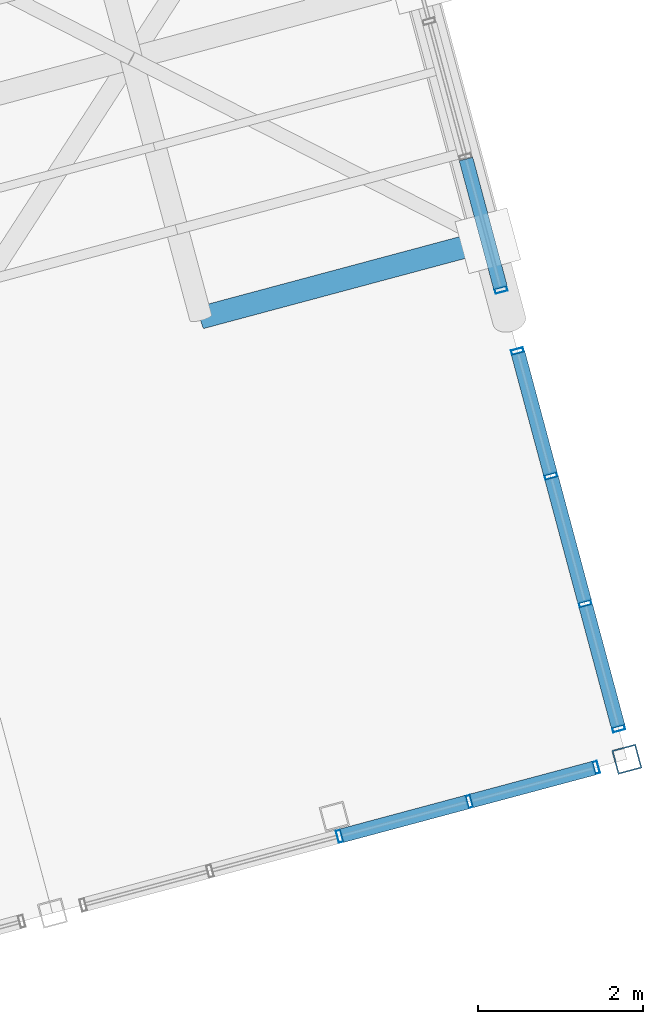
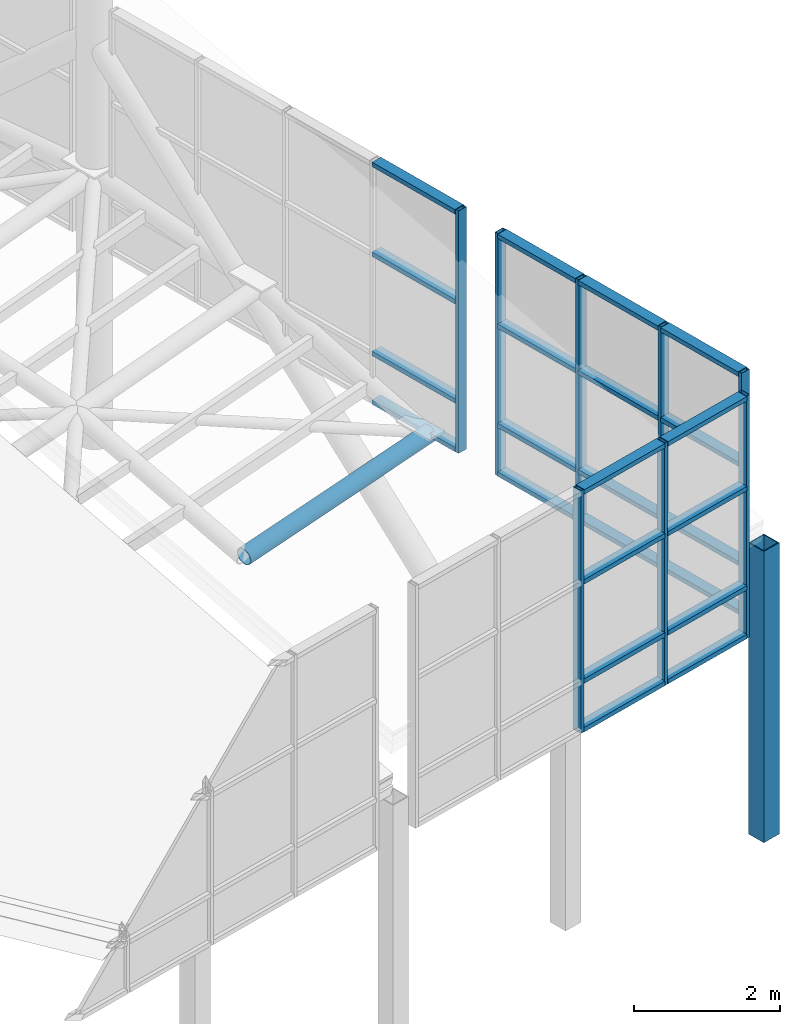
# One storey, part 15 of 28: 34 members, 3 elements without a shape of their own.
"""IFC4 building model written with IfcOpenShell, lengths in metres."""

from ifc_helpers import new_model, si_unit, direction, frame, origin, origin_2d, place, context, subcontext, project, spatial, hollow_rectangle, hollow_circle, extrude, material, layer, layer_set, material_profile, profile_set, type_object, element, aggregate, save


model = new_model("IFC4")

# Units and contexts
model_context = context("Model", 3, precision=1e-05, world=origin(), true_north=direction((0.0, 1.0)))
body_context = subcontext(model_context, "Body", "Model", "MODEL_VIEW")
ifc_project = project(units=[si_unit("LENGTHUNIT", "METRE"), si_unit("AREAUNIT", "SQUARE_METRE"), si_unit("VOLUMEUNIT", "CUBIC_METRE"), si_unit("PLANEANGLEUNIT", "RADIAN"), si_unit("MASSUNIT", "GRAM", prefix="KILO")], contexts=[model_context])

# Site, building, storey
site_placement = place(None, origin())
site = spatial("IfcSite", under=ifc_project, at=site_placement, CompositionType="ELEMENT")
building_placement = place(site_placement, origin())
building = spatial("IfcBuilding", under=site, at=building_placement, Name="Ventoquebrada Cableway Terminal", CompositionType="ELEMENT")
storey_placement = place(building_placement, frame((0.0, 0.0, 23.39990234375)))
storey = spatial("IfcBuildingStorey", under=building, at=storey_placement, Name="RF", CompositionType="ELEMENT", Elevation=23.39990234375)

# Member
ifc_material_1 = material(Name="Steel ASTM A500 Grade C", Category="steel")
ifc_material_profile_1 = material_profile(ifc_material_1, hollow_circle(Radius=0.136474609375, WallThickness=0.012451171875, at=origin_2d()), Name="CHS273.0X12.5")
ifc_profile_set_1 = profile_set([ifc_material_profile_1], Name="Steel ASTM A500 Grade C")
member_type_1 = type_object("IfcMemberType", Name="CHD-GS02", PredefinedType="CHORD", material=ifc_profile_set_1)
member_1_placement = place(storey_placement, frame((81.592041015625, 84.447998046875, -0.36181640625), z_axis=(0.962749089716, 0.258026490342, 0.080848750969), x_axis=(-0.258873944891, 0.965911114263, 0.0)))
element("IfcMember", 1, at=member_1_placement, inside=storey, type_object=member_type_1, Name="Saddle gridshell longitudinal chord GLG-0132", PredefinedType="CHORD", context=body_context, shape_type="SweptSolid", body=[
    extrude(hollow_circle(Radius=0.136474609375, WallThickness=0.012451171875, at=origin_2d()), origin(), (0.0, 0.0, 1.0), 3.611572265625),
])

# Curtain wall, members
ifc_material_2 = material(Name="Anodized thermally-broken aluminium", Category="aluminium")
ifc_layer_1 = layer(ifc_material_2, 0.159912109375)
ifc_layer_set_1 = layer_set([ifc_layer_1], Name="Anodized thermally-broken aluminium")
curtain_wall_type_1 = type_object("IfcCurtainWallType", Name="CW-T48", PredefinedType="USERDEFINED", material=ifc_layer_set_1)
curtain_wall_1_placement = place(storey_placement, origin())
curtain_wall_1 = element("IfcCurtainWall", 2, at=curtain_wall_1_placement, inside=storey, type_object=curtain_wall_type_1, Name="Unitised glazed curtain wall CW-155", ObjectType="UNITISED CURTAIN WALL", PredefinedType="USERDEFINED")
ifc_material_profile_2 = material_profile(ifc_material_2, hollow_rectangle(XDim=0.06005859375, YDim=0.14990234375, WallThickness=0.00390625, at=origin_2d()), Name="CW-MUL-60X150")
ifc_profile_set_2 = profile_set([ifc_material_profile_2], Name="Anodized thermally-broken aluminium")
member_type_2 = type_object("IfcMemberType", Name="CWM-03", PredefinedType="MULLION", material=ifc_profile_set_2)
member_2_placement = place(storey_placement, frame((83.27392578125, 78.169921875, -0.06298828125), z_axis=(0.0, 0.0, 1.0), x_axis=(0.96593486019, 0.258785327773, 0.0)))
member_2 = element("IfcMember", 3, at=member_2_placement, type_object=member_type_2, Name="Curtain wall mullion FML-0754", PredefinedType="MULLION", context=body_context, shape_type="SweptSolid", body=[
    extrude(hollow_rectangle(XDim=0.06005859375, YDim=0.14990234375, WallThickness=0.00390625, at=origin_2d()), origin(), (0.0, 0.0, 1.0), 4.068115234375),
])
member_3_placement = place(storey_placement, frame((84.843994140625, 78.590087890625, -0.06298828125), z_axis=(0.0, 0.0, 1.0), x_axis=(0.96593486019, 0.258785327773, 0.0)))
member_3 = element("IfcMember", 4, at=member_3_placement, type_object=member_type_2, Name="Curtain wall mullion FML-0755", PredefinedType="MULLION", context=body_context, shape_type="SweptSolid", body=[
    extrude(hollow_rectangle(XDim=0.06005859375, YDim=0.14990234375, WallThickness=0.00390625, at=origin_2d()), origin(), (0.0, 0.0, 1.0), 4.068115234375),
])
member_4_placement = place(storey_placement, frame((86.37890625, 79.001953125, -0.06298828125), z_axis=(0.0, 0.0, 1.0), x_axis=(0.96593486019, 0.258785327773, 0.0)))
member_4 = element("IfcMember", 5, at=member_4_placement, type_object=member_type_2, Name="Curtain wall mullion FML-0756", PredefinedType="MULLION", context=body_context, shape_type="SweptSolid", body=[
    extrude(hollow_rectangle(XDim=0.06005859375, YDim=0.14990234375, WallThickness=0.00390625, at=origin_2d()), origin(), (0.0, 0.0, 1.0), 4.068115234375),
])

ifc_layer_2 = layer(ifc_material_2, 0.159912109375)
ifc_layer_set_2 = layer_set([ifc_layer_2], Name="Anodized thermally-broken aluminium")
curtain_wall_type_2 = type_object("IfcCurtainWallType", Name="CW-T49", PredefinedType="USERDEFINED", material=ifc_layer_set_2)
curtain_wall_2_placement = place(storey_placement, origin())
curtain_wall_2 = element("IfcCurtainWall", 6, at=curtain_wall_2_placement, inside=storey, type_object=curtain_wall_type_2, Name="Unitised glazed curtain wall CW-165", ObjectType="UNITISED CURTAIN WALL", PredefinedType="USERDEFINED")
member_5_placement = place(storey_placement, frame((86.652099609375, 79.47412109375, -0.06298828125), z_axis=(0.0, 0.0, 1.0), x_axis=(-0.258970769183, 0.965885159172, 0.0)))
member_5 = element("IfcMember", 7, at=member_5_placement, type_object=member_type_2, Name="Curtain wall mullion FML-0800", PredefinedType="MULLION", context=body_context, shape_type="SweptSolid", body=[
    extrude(hollow_rectangle(XDim=0.06005859375, YDim=0.14990234375, WallThickness=0.00390625, at=origin_2d()), origin(), (0.0, 0.0, 1.0), 4.068115234375),
])
member_6_placement = place(storey_placement, frame((86.2470703125, 80.985107421875, -0.06298828125), z_axis=(0.0, 0.0, 1.0), x_axis=(-0.258970769183, 0.965885159172, 0.0)))
member_6 = element("IfcMember", 8, at=member_6_placement, type_object=member_type_2, Name="Curtain wall mullion FML-0801", PredefinedType="MULLION", context=body_context, shape_type="SweptSolid", body=[
    extrude(hollow_rectangle(XDim=0.06005859375, YDim=0.14990234375, WallThickness=0.00390625, at=origin_2d()), origin(), (0.0, 0.0, 1.0), 4.068115234375),
])
member_7_placement = place(storey_placement, frame((85.83203125, 82.531005859375, -0.06298828125), z_axis=(0.0, 0.0, 1.0), x_axis=(-0.258970769183, 0.965885159172, 0.0)))
member_7 = element("IfcMember", 9, at=member_7_placement, type_object=member_type_2, Name="Curtain wall mullion FML-0802", PredefinedType="MULLION", context=body_context, shape_type="SweptSolid", body=[
    extrude(hollow_rectangle(XDim=0.06005859375, YDim=0.14990234375, WallThickness=0.00390625, at=origin_2d()), origin(), (0.0, 0.0, 1.0), 4.068115234375),
])
member_8_placement = place(storey_placement, frame((85.427001953125, 84.0419921875, -0.06298828125), z_axis=(0.0, 0.0, 1.0), x_axis=(-0.258970769183, 0.965885159172, 0.0)))
member_8 = element("IfcMember", 10, at=member_8_placement, type_object=member_type_2, Name="Curtain wall mullion FML-0803", PredefinedType="MULLION", context=body_context, shape_type="SweptSolid", body=[
    extrude(hollow_rectangle(XDim=0.06005859375, YDim=0.14990234375, WallThickness=0.00390625, at=origin_2d()), origin(), (0.0, 0.0, 1.0), 4.068115234375),
])

# Curtain wall, member
ifc_layer_3 = layer(ifc_material_2, 0.159912109375)
ifc_layer_set_3 = layer_set([ifc_layer_3], Name="Anodized thermally-broken aluminium")
curtain_wall_type_3 = type_object("IfcCurtainWallType", Name="CW-T50", PredefinedType="USERDEFINED", material=ifc_layer_set_3)
curtain_wall_3_placement = place(storey_placement, origin())
curtain_wall_3 = element("IfcCurtainWall", 11, at=curtain_wall_3_placement, inside=storey, type_object=curtain_wall_type_3, Name="Unitised glazed curtain wall CW-166", ObjectType="UNITISED CURTAIN WALL", PredefinedType="USERDEFINED")
member_9_placement = place(storey_placement, frame((85.22802734375, 84.785888671875, -0.06298828125), z_axis=(0.0, 0.0, 1.0), x_axis=(-0.258802186477, 0.965930343386, 0.0)))
member_9 = element("IfcMember", 12, at=member_9_placement, type_object=member_type_2, Name="Curtain wall mullion FML-0804", PredefinedType="MULLION", context=body_context, shape_type="SweptSolid", body=[
    extrude(hollow_rectangle(XDim=0.06005859375, YDim=0.14990234375, WallThickness=0.00390625, at=origin_2d()), origin(), (0.0, 0.0, 1.0), 4.068115234375),
])

# Member
ifc_material_profile_3 = material_profile(ifc_material_2, hollow_rectangle(XDim=0.074951171875, YDim=0.169921875, WallThickness=0.00439453125, at=origin_2d()), Name="CW-TRN-75X170")
ifc_profile_set_3 = profile_set([ifc_material_profile_3], Name="Anodized thermally-broken aluminium")
member_type_3 = type_object("IfcMemberType", Name="CWT-03", PredefinedType="USERDEFINED", material=ifc_profile_set_3)
member_10_placement = place(storey_placement, frame((83.298095703125, 78.176025390625, -0.02001953125), z_axis=(0.965860816082, 0.259061544731, 0.0), x_axis=(0.0, 0.0, 1.0)))
member_10 = element("IfcMember", 13, at=member_10_placement, type_object=member_type_3, Name="Curtain wall transom FTR-2196", ObjectType="TRANSOM", PredefinedType="USERDEFINED", context=body_context, shape_type="SweptSolid", body=[
    extrude(hollow_rectangle(XDim=0.074951171875, YDim=0.169921875, WallThickness=0.00439453125, at=origin_2d()), origin(), (0.0, 0.0, 1.0), 1.57470703125),
])

member_11_placement = place(storey_placement, frame((83.298095703125, 78.176025390625, 0.795166015625), z_axis=(0.965860816082, 0.259061544731, 0.0), x_axis=(0.0, 0.0, 1.0)))
member_11 = element("IfcMember", 14, at=member_11_placement, type_object=member_type_3, Name="Curtain wall transom FTR-2197", ObjectType="TRANSOM", PredefinedType="USERDEFINED", context=body_context, shape_type="SweptSolid", body=[
    extrude(hollow_rectangle(XDim=0.074951171875, YDim=0.169921875, WallThickness=0.00439453125, at=origin_2d()), origin(), (0.0, 0.0, 1.0), 1.57470703125),
])

member_12_placement = place(storey_placement, frame((83.298095703125, 78.176025390625, 2.458984375), z_axis=(0.965860816082, 0.259061544731, 0.0), x_axis=(0.0, 0.0, 1.0)))
member_12 = element("IfcMember", 15, at=member_12_placement, type_object=member_type_3, Name="Curtain wall transom FTR-2198", ObjectType="TRANSOM", PredefinedType="USERDEFINED", context=body_context, shape_type="SweptSolid", body=[
    extrude(hollow_rectangle(XDim=0.074951171875, YDim=0.169921875, WallThickness=0.00439453125, at=origin_2d()), origin(), (0.0, 0.0, 1.0), 1.57470703125),
])

member_13_placement = place(storey_placement, frame((83.298095703125, 78.176025390625, 3.965087890625), z_axis=(0.965860816082, 0.259061544731, 0.0), x_axis=(0.0, 0.0, 1.0)))
member_13 = element("IfcMember", 16, at=member_13_placement, type_object=member_type_3, Name="Curtain wall transom FTR-2199", ObjectType="TRANSOM", PredefinedType="USERDEFINED", context=body_context, shape_type="SweptSolid", body=[
    extrude(hollow_rectangle(XDim=0.074951171875, YDim=0.169921875, WallThickness=0.00439453125, at=origin_2d()), origin(), (0.0, 0.0, 1.0), 1.57470703125),
])

member_14_placement = place(storey_placement, frame((84.867919921875, 78.596923828125, -0.02001953125), z_axis=(0.96596857403, 0.25865945563, 0.0), x_axis=(0.0, 0.0, 1.0)))
member_14 = element("IfcMember", 17, at=member_14_placement, type_object=member_type_3, Name="Curtain wall transom FTR-2200", ObjectType="TRANSOM", PredefinedType="USERDEFINED", context=body_context, shape_type="SweptSolid", body=[
    extrude(hollow_rectangle(XDim=0.074951171875, YDim=0.169921875, WallThickness=0.00439453125, at=origin_2d()), origin(), (0.0, 0.0, 1.0), 1.53955078125),
])

member_15_placement = place(storey_placement, frame((84.867919921875, 78.596923828125, 0.795166015625), z_axis=(0.96596857403, 0.25865945563, 0.0), x_axis=(0.0, 0.0, 1.0)))
member_15 = element("IfcMember", 18, at=member_15_placement, type_object=member_type_3, Name="Curtain wall transom FTR-2201", ObjectType="TRANSOM", PredefinedType="USERDEFINED", context=body_context, shape_type="SweptSolid", body=[
    extrude(hollow_rectangle(XDim=0.074951171875, YDim=0.169921875, WallThickness=0.00439453125, at=origin_2d()), origin(), (0.0, 0.0, 1.0), 1.53955078125),
])

member_16_placement = place(storey_placement, frame((84.867919921875, 78.596923828125, 2.458984375), z_axis=(0.96596857403, 0.25865945563, 0.0), x_axis=(0.0, 0.0, 1.0)))
member_16 = element("IfcMember", 19, at=member_16_placement, type_object=member_type_3, Name="Curtain wall transom FTR-2202", ObjectType="TRANSOM", PredefinedType="USERDEFINED", context=body_context, shape_type="SweptSolid", body=[
    extrude(hollow_rectangle(XDim=0.074951171875, YDim=0.169921875, WallThickness=0.00439453125, at=origin_2d()), origin(), (0.0, 0.0, 1.0), 1.53955078125),
])

member_17_placement = place(storey_placement, frame((84.867919921875, 78.596923828125, 3.965087890625), z_axis=(0.96596857403, 0.25865945563, 0.0), x_axis=(0.0, 0.0, 1.0)))
member_17 = element("IfcMember", 20, at=member_17_placement, type_object=member_type_3, Name="Curtain wall transom FTR-2203", ObjectType="TRANSOM", PredefinedType="USERDEFINED", context=body_context, shape_type="SweptSolid", body=[
    extrude(hollow_rectangle(XDim=0.074951171875, YDim=0.169921875, WallThickness=0.00439453125, at=origin_2d()), origin(), (0.0, 0.0, 1.0), 1.53955078125),
])

aggregate(curtain_wall_1, [member_2, member_3, member_4, member_10, member_11, member_12, member_13, member_14, member_15, member_16, member_17])

member_18_placement = place(storey_placement, frame((86.64501953125, 79.498046875, -0.02001953125), z_axis=(-0.258886490244, 0.965907751894, 0.0), x_axis=(0.0, 0.0, 1.0)))
member_18 = element("IfcMember", 21, at=member_18_placement, type_object=member_type_3, Name="Curtain wall transom FTR-2340", ObjectType="TRANSOM", PredefinedType="USERDEFINED", context=body_context, shape_type="SweptSolid", body=[
    extrude(hollow_rectangle(XDim=0.074951171875, YDim=0.169921875, WallThickness=0.00439453125, at=origin_2d()), origin(), (0.0, 0.0, 1.0), 1.514404296875),
])

member_19_placement = place(storey_placement, frame((86.64501953125, 79.498046875, 0.795166015625), z_axis=(-0.258886490244, 0.965907751894, 0.0), x_axis=(0.0, 0.0, 1.0)))
member_19 = element("IfcMember", 22, at=member_19_placement, type_object=member_type_3, Name="Curtain wall transom FTR-2341", ObjectType="TRANSOM", PredefinedType="USERDEFINED", context=body_context, shape_type="SweptSolid", body=[
    extrude(hollow_rectangle(XDim=0.074951171875, YDim=0.169921875, WallThickness=0.00439453125, at=origin_2d()), origin(), (0.0, 0.0, 1.0), 1.514404296875),
])

member_20_placement = place(storey_placement, frame((86.64501953125, 79.498046875, 2.458984375), z_axis=(-0.258886490244, 0.965907751894, 0.0), x_axis=(0.0, 0.0, 1.0)))
member_20 = element("IfcMember", 23, at=member_20_placement, type_object=member_type_3, Name="Curtain wall transom FTR-2342", ObjectType="TRANSOM", PredefinedType="USERDEFINED", context=body_context, shape_type="SweptSolid", body=[
    extrude(hollow_rectangle(XDim=0.074951171875, YDim=0.169921875, WallThickness=0.00439453125, at=origin_2d()), origin(), (0.0, 0.0, 1.0), 1.514404296875),
])

member_21_placement = place(storey_placement, frame((86.64501953125, 79.498046875, 3.965087890625), z_axis=(-0.258886490244, 0.965907751894, 0.0), x_axis=(0.0, 0.0, 1.0)))
member_21 = element("IfcMember", 24, at=member_21_placement, type_object=member_type_3, Name="Curtain wall transom FTR-2343", ObjectType="TRANSOM", PredefinedType="USERDEFINED", context=body_context, shape_type="SweptSolid", body=[
    extrude(hollow_rectangle(XDim=0.074951171875, YDim=0.169921875, WallThickness=0.00439453125, at=origin_2d()), origin(), (0.0, 0.0, 1.0), 1.514404296875),
])

member_22_placement = place(storey_placement, frame((86.239990234375, 81.009033203125, -0.02001953125), z_axis=(-0.258505244572, 0.966009854261, 0.0), x_axis=(0.0, 0.0, 1.0)))
member_22 = element("IfcMember", 25, at=member_22_placement, type_object=member_type_3, Name="Curtain wall transom FTR-2344", ObjectType="TRANSOM", PredefinedType="USERDEFINED", context=body_context, shape_type="SweptSolid", body=[
    extrude(hollow_rectangle(XDim=0.074951171875, YDim=0.169921875, WallThickness=0.00439453125, at=origin_2d()), origin(), (0.0, 0.0, 1.0), 1.55078125),
])

member_23_placement = place(storey_placement, frame((86.239990234375, 81.009033203125, 0.795166015625), z_axis=(-0.258505244572, 0.966009854261, 0.0), x_axis=(0.0, 0.0, 1.0)))
member_23 = element("IfcMember", 26, at=member_23_placement, type_object=member_type_3, Name="Curtain wall transom FTR-2345", ObjectType="TRANSOM", PredefinedType="USERDEFINED", context=body_context, shape_type="SweptSolid", body=[
    extrude(hollow_rectangle(XDim=0.074951171875, YDim=0.169921875, WallThickness=0.00439453125, at=origin_2d()), origin(), (0.0, 0.0, 1.0), 1.55078125),
])

member_24_placement = place(storey_placement, frame((86.239990234375, 81.009033203125, 2.458984375), z_axis=(-0.258505244572, 0.966009854261, 0.0), x_axis=(0.0, 0.0, 1.0)))
member_24 = element("IfcMember", 27, at=member_24_placement, type_object=member_type_3, Name="Curtain wall transom FTR-2346", ObjectType="TRANSOM", PredefinedType="USERDEFINED", context=body_context, shape_type="SweptSolid", body=[
    extrude(hollow_rectangle(XDim=0.074951171875, YDim=0.169921875, WallThickness=0.00439453125, at=origin_2d()), origin(), (0.0, 0.0, 1.0), 1.55078125),
])

member_25_placement = place(storey_placement, frame((86.239990234375, 81.009033203125, 3.965087890625), z_axis=(-0.258505244572, 0.966009854261, 0.0), x_axis=(0.0, 0.0, 1.0)))
member_25 = element("IfcMember", 28, at=member_25_placement, type_object=member_type_3, Name="Curtain wall transom FTR-2347", ObjectType="TRANSOM", PredefinedType="USERDEFINED", context=body_context, shape_type="SweptSolid", body=[
    extrude(hollow_rectangle(XDim=0.074951171875, YDim=0.169921875, WallThickness=0.00439453125, at=origin_2d()), origin(), (0.0, 0.0, 1.0), 1.55078125),
])

member_26_placement = place(storey_placement, frame((85.825927734375, 82.554931640625, -0.02001953125), z_axis=(-0.258695801692, 0.965958840835, 0.0), x_axis=(0.0, 0.0, 1.0)))
member_26 = element("IfcMember", 29, at=member_26_placement, type_object=member_type_3, Name="Curtain wall transom FTR-2348", ObjectType="TRANSOM", PredefinedType="USERDEFINED", context=body_context, shape_type="SweptSolid", body=[
    extrude(hollow_rectangle(XDim=0.074951171875, YDim=0.169921875, WallThickness=0.00439453125, at=origin_2d()), origin(), (0.0, 0.0, 1.0), 1.5146484375),
])

member_27_placement = place(storey_placement, frame((85.825927734375, 82.554931640625, 0.795166015625), z_axis=(-0.258695801692, 0.965958840835, 0.0), x_axis=(0.0, 0.0, 1.0)))
member_27 = element("IfcMember", 30, at=member_27_placement, type_object=member_type_3, Name="Curtain wall transom FTR-2349", ObjectType="TRANSOM", PredefinedType="USERDEFINED", context=body_context, shape_type="SweptSolid", body=[
    extrude(hollow_rectangle(XDim=0.074951171875, YDim=0.169921875, WallThickness=0.00439453125, at=origin_2d()), origin(), (0.0, 0.0, 1.0), 1.5146484375),
])

member_28_placement = place(storey_placement, frame((85.825927734375, 82.554931640625, 2.458984375), z_axis=(-0.258695801692, 0.965958840835, 0.0), x_axis=(0.0, 0.0, 1.0)))
member_28 = element("IfcMember", 31, at=member_28_placement, type_object=member_type_3, Name="Curtain wall transom FTR-2350", ObjectType="TRANSOM", PredefinedType="USERDEFINED", context=body_context, shape_type="SweptSolid", body=[
    extrude(hollow_rectangle(XDim=0.074951171875, YDim=0.169921875, WallThickness=0.00439453125, at=origin_2d()), origin(), (0.0, 0.0, 1.0), 1.5146484375),
])

member_29_placement = place(storey_placement, frame((85.825927734375, 82.554931640625, 3.965087890625), z_axis=(-0.258695801692, 0.965958840835, 0.0), x_axis=(0.0, 0.0, 1.0)))
member_29 = element("IfcMember", 32, at=member_29_placement, type_object=member_type_3, Name="Curtain wall transom FTR-2351", ObjectType="TRANSOM", PredefinedType="USERDEFINED", context=body_context, shape_type="SweptSolid", body=[
    extrude(hollow_rectangle(XDim=0.074951171875, YDim=0.169921875, WallThickness=0.00439453125, at=origin_2d()), origin(), (0.0, 0.0, 1.0), 1.5146484375),
])

aggregate(curtain_wall_2, [member_5, member_6, member_7, member_8, member_18, member_19, member_20, member_21, member_22, member_23, member_24, member_25, member_26, member_27, member_28, member_29])

member_30_placement = place(storey_placement, frame((85.220947265625, 84.81005859375, -0.02001953125), z_axis=(-0.258791494835, 0.96593320794, 0.0), x_axis=(0.0, 0.0, 1.0)))
member_30 = element("IfcMember", 33, at=member_30_placement, type_object=member_type_3, Name="Curtain wall transom FTR-2352", ObjectType="TRANSOM", PredefinedType="USERDEFINED", context=body_context, shape_type="SweptSolid", body=[
    extrude(hollow_rectangle(XDim=0.074951171875, YDim=0.169921875, WallThickness=0.00439453125, at=origin_2d()), origin(), (0.0, 0.0, 1.0), 1.614990234375),
])

member_31_placement = place(storey_placement, frame((85.220947265625, 84.81005859375, 0.795166015625), z_axis=(-0.258791494835, 0.96593320794, 0.0), x_axis=(0.0, 0.0, 1.0)))
member_31 = element("IfcMember", 34, at=member_31_placement, type_object=member_type_3, Name="Curtain wall transom FTR-2353", ObjectType="TRANSOM", PredefinedType="USERDEFINED", context=body_context, shape_type="SweptSolid", body=[
    extrude(hollow_rectangle(XDim=0.074951171875, YDim=0.169921875, WallThickness=0.00439453125, at=origin_2d()), origin(), (0.0, 0.0, 1.0), 1.614990234375),
])

member_32_placement = place(storey_placement, frame((85.220947265625, 84.81005859375, 2.458984375), z_axis=(-0.258791494835, 0.96593320794, 0.0), x_axis=(0.0, 0.0, 1.0)))
member_32 = element("IfcMember", 35, at=member_32_placement, type_object=member_type_3, Name="Curtain wall transom FTR-2354", ObjectType="TRANSOM", PredefinedType="USERDEFINED", context=body_context, shape_type="SweptSolid", body=[
    extrude(hollow_rectangle(XDim=0.074951171875, YDim=0.169921875, WallThickness=0.00439453125, at=origin_2d()), origin(), (0.0, 0.0, 1.0), 1.614990234375),
])

member_33_placement = place(storey_placement, frame((85.220947265625, 84.81005859375, 3.965087890625), z_axis=(-0.258791494835, 0.96593320794, 0.0), x_axis=(0.0, 0.0, 1.0)))
member_33 = element("IfcMember", 36, at=member_33_placement, type_object=member_type_3, Name="Curtain wall transom FTR-2355", ObjectType="TRANSOM", PredefinedType="USERDEFINED", context=body_context, shape_type="SweptSolid", body=[
    extrude(hollow_rectangle(XDim=0.074951171875, YDim=0.169921875, WallThickness=0.00439453125, at=origin_2d()), origin(), (0.0, 0.0, 1.0), 1.614990234375),
])

aggregate(curtain_wall_3, [member_9, member_30, member_31, member_32, member_33])

ifc_material_profile_4 = material_profile(ifc_material_1, hollow_rectangle(XDim=0.300048828125, YDim=0.300048828125, WallThickness=0.01611328125, at=origin_2d()), Name="HSS300X300X16")
ifc_profile_set_4 = profile_set([ifc_material_profile_4], Name="Steel ASTM A500 Grade C")
member_type_4 = type_object("IfcMemberType", Name="STR-VS01", PredefinedType="STRUT", material=ifc_profile_set_4)
member_34_placement = place(storey_placement, frame((86.7509765625, 79.10205078125, -3.579833984375), z_axis=(0.0, 0.0, 1.0), x_axis=(0.965925826289, 0.258819045103, 0.0)))
element("IfcMember", 37, at=member_34_placement, inside=storey, type_object=member_type_4, Name="Gridshell deck stand-off post GS-SP-0460", PredefinedType="STRUT", context=body_context, shape_type="SweptSolid", body=[
    extrude(hollow_rectangle(XDim=0.300048828125, YDim=0.300048828125, WallThickness=0.01611328125, at=origin_2d()), origin(), (0.0, 0.0, 1.0), 4.885009765625),
])

save(model, "model.ifc")
